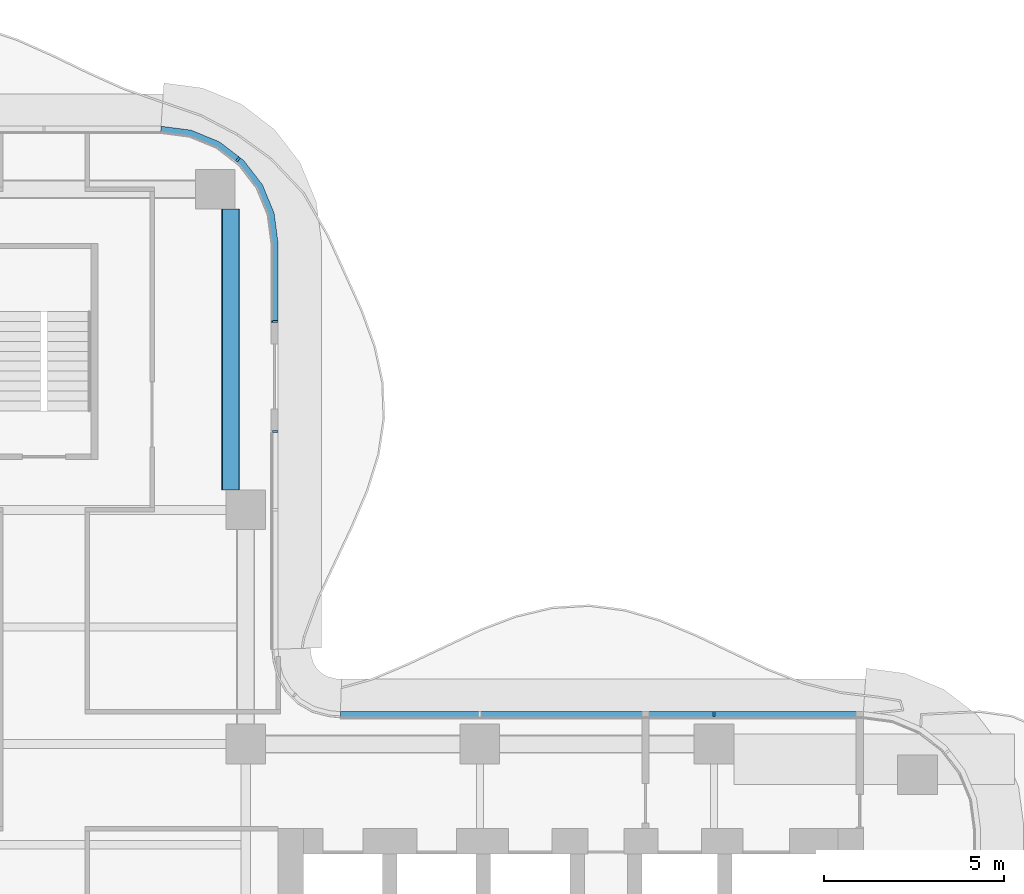
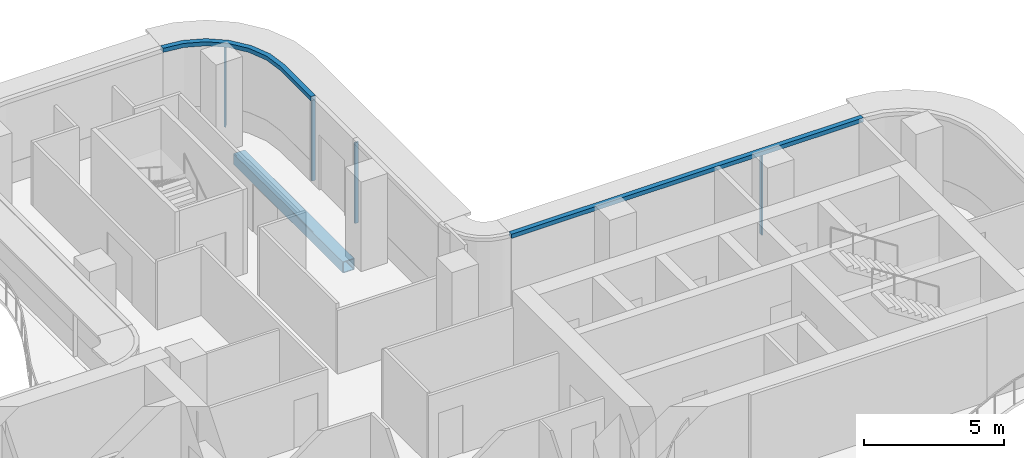
# One storey, part 8 of 17: 6 members, 1 beam, 3 elements without a shape of their own.
"""IFC4 building model written with IfcOpenShell, lengths in metres."""

from ifc_helpers import new_model, si_unit, direction, frame, origin, origin_2d, place, context, subcontext, project, spatial, polyline, rectangle, hollow_rectangle, outline, extrude, source, transform, mapped, material, layer, layer_set, material_profile, profile_set, type_object, element, aggregate, save


model = new_model("IFC4")

# Units and contexts
model_context = context("Model", 3, precision=1e-05, world=origin(), true_north=direction((0.0, 1.0)))
body_context = subcontext(model_context, "Body", "Model", "MODEL_VIEW")
ifc_project = project(units=[si_unit("LENGTHUNIT", "METRE"), si_unit("AREAUNIT", "SQUARE_METRE"), si_unit("VOLUMEUNIT", "CUBIC_METRE"), si_unit("PLANEANGLEUNIT", "RADIAN"), si_unit("MASSUNIT", "GRAM", prefix="KILO")], contexts=[model_context])

# Site, building, storey
site_placement = place(None, origin())
site = spatial("IfcSite", under=ifc_project, at=site_placement, CompositionType="ELEMENT")
building_placement = place(site_placement, origin())
building = spatial("IfcBuilding", under=site, at=building_placement, Name="Trellis Farm Tower", CompositionType="ELEMENT")
storey_placement = place(building_placement, frame((0.0, 0.0, 220.699951171875)))
storey = spatial("IfcBuildingStorey", under=building, at=storey_placement, Name="L48", CompositionType="ELEMENT", Elevation=220.699951171875)

# Beam
ifc_material_1 = material(Name="Steel S355", Category="steel")
ifc_material_profile_1 = material_profile(ifc_material_1, hollow_rectangle(XDim=0.5, YDim=0.5, WallThickness=0.030029296875, InnerFilletRadius=0.030029296875, OuterFilletRadius=0.044921875, at=origin_2d()), Name="SHS 500x500x30")
ifc_profile_set_1 = profile_set([ifc_material_profile_1], Name="Steel S355")
beam_type = type_object("IfcBeamType", Name="SHS 500x500x30", PredefinedType="BEAM", material=ifc_profile_set_1)
shared_shape_1 = source(origin(), body_context, "Body", "SweptSolid", [
    extrude(hollow_rectangle(XDim=0.5, YDim=0.5, WallThickness=0.030029296875, InnerFilletRadius=0.030029296875, OuterFilletRadius=0.044921875, at=origin_2d()), origin(), (0.0, 0.0, 1.0), 7.800048828125),
])
beam_placement = place(storey_placement, frame((5.175048828125, 12.64990234375, -0.449951171875), z_axis=(0.0, 1.0, 0.0), x_axis=(-1.0, 0.0, 0.0)))
element("IfcBeam", 1, at=beam_placement, inside=storey, type_object=beam_type, Name="Girder", PredefinedType="BEAM", context=body_context, shape_type="MappedRepresentation", body=[
    mapped(shared_shape_1, transform((0.0, 0.0, 0.0))),
])

# Curtain wall, member
ifc_material_2 = material(Name="Aluminium and glass curtain wall", Category="aluminium")
ifc_layer_1 = layer(ifc_material_2, 0.18994140625)
ifc_layer_set_1 = layer_set([ifc_layer_1], Name="RIBBON CURTAIN WALL CW1")
curtain_wall_type = type_object("IfcCurtainWallType", Name="RIBBON CURTAIN WALL CW1", PredefinedType="NOTDEFINED", material=ifc_layer_set_1)
placement_1 = place(storey_placement, origin())
curtain_wall_1 = element("IfcCurtainWall", 2, at=placement_1, inside=storey, type_object=curtain_wall_type, Name="CW1 008", PredefinedType="NOTDEFINED")
ifc_material_3 = material(Name="Aluminium extrusion 6063-T6", Category="aluminium")
ifc_material_profile_2 = material_profile(ifc_material_3, rectangle(XDim=0.06005859375, YDim=0.14990234375, at=origin_2d()), Name="MULLION 60x150")
ifc_profile_set_2 = profile_set([ifc_material_profile_2], Name="Aluminium extrusion 6063-T6")
member_type_1 = type_object("IfcMemberType", Name="CW1 MULLION 60x150", PredefinedType="MULLION", material=ifc_profile_set_2)
shared_shape_2 = source(origin(), body_context, "Body", "SweptSolid", [
    extrude(rectangle(XDim=0.06005859375, YDim=0.14990234375, at=origin_2d()), origin(), (0.0, 0.0, 1.0), 3.52001953125),
])
member_1_placement = place(storey_placement, frame((18.60009765625, 6.425048828125, 0.0), z_axis=(0.0, 0.0, 1.0), x_axis=(-1.0, 0.0, 0.0)))
member_1 = element("IfcMember", 3, at=member_1_placement, type_object=member_type_1, Name="MU1 008-01", PredefinedType="MULLION", context=body_context, shape_type="MappedRepresentation", body=[
    mapped(shared_shape_2, transform((0.0, 0.0, 0.0))),
])

curtain_wall_2 = element("IfcCurtainWall", 4, at=placement_1, inside=storey, type_object=curtain_wall_type, Name="CW1 009", PredefinedType="NOTDEFINED")
member_2_placement = place(storey_placement, frame((6.425048828125, 14.27001953125, 0.0), z_axis=(0.0, 0.0, 1.0), x_axis=(0.0, 1.0, 0.0)))
member_2 = element("IfcMember", 5, at=member_2_placement, type_object=member_type_1, Name="MU1 009-02", PredefinedType="MULLION", context=body_context, shape_type="MappedRepresentation", body=[
    mapped(shared_shape_2, transform((0.0, 0.0, 0.0))),
])
aggregate(curtain_wall_2, [member_2])

# Curtain wall, members
curtain_wall_3 = element("IfcCurtainWall", 6, at=placement_1, inside=storey, type_object=curtain_wall_type, Name="CW1 010", PredefinedType="NOTDEFINED")
member_3_placement = place(storey_placement, frame((6.425048828125, 17.330078125, 0.0), z_axis=(0.0, 0.0, 1.0), x_axis=(0.0, 1.0, 0.0)))
member_3 = element("IfcMember", 7, at=member_3_placement, type_object=member_type_1, Name="MU1 010-01", PredefinedType="MULLION", context=body_context, shape_type="MappedRepresentation", body=[
    mapped(shared_shape_2, transform((0.0, 0.0, 0.0))),
])
member_4_placement = place(storey_placement, frame((5.385498046875, 21.828369140625, 0.0), z_axis=(0.0, 0.0, 1.0), x_axis=(-0.793353340291, 0.608761429009, 0.0)))
member_4 = element("IfcMember", 8, at=member_4_placement, type_object=member_type_1, Name="MU1 010-02", PredefinedType="MULLION", context=body_context, shape_type="MappedRepresentation", body=[
    mapped(shared_shape_2, transform((0.0, 0.0, 0.0))),
])

# Member
ifc_layer_2 = layer(ifc_material_3, 0.199951171875)
ifc_layer_set_2 = layer_set([ifc_layer_2], Name="Aluminium extrusion 6063-T6")
member_type_2 = type_object("IfcMemberType", Name="CW1 TRANSOM 200x180", PredefinedType="USERDEFINED", material=ifc_layer_set_2)
shared_shape_3 = source(origin(), body_context, "Body", "SweptSolid", [
    extrude(outline(polyline([(22.75, 6.5), (8.2314453125, 6.5), (8.224853515625, 6.300048828125), (22.73681640625, 6.300048828125), (22.75, 6.5)])), origin(), (0.0, 0.0, 1.0), 0.179931640625),
])
placement_2 = place(storey_placement, frame((0.0, 0.0, 3.52001953125)))
member_5 = element("IfcMember", 9, at=placement_2, type_object=member_type_2, Name="TR1 008", ObjectType="TRANSOM", PredefinedType="USERDEFINED", context=body_context, shape_type="MappedRepresentation", body=[
    mapped(shared_shape_3, transform((0.0, 0.0, 0.0))),
])

aggregate(curtain_wall_1, [member_1, member_5])

shared_shape_4 = source(origin(), body_context, "Body", "SweptSolid", [
    extrude(outline(polyline([(6.5, 17.300048828125), (6.5, 19.5), (6.38916015625, 20.341064453125), (6.064697265625, 21.125), (5.548095703125, 21.798095703125), (4.875, 22.314697265625), (4.091064453125, 22.63916015625), (3.25, 22.75), (3.23681640625, 22.550048828125), (4.0390625, 22.4443359375), (4.774169921875, 22.139892578125), (5.405517578125, 21.655517578125), (5.889892578125, 21.024169921875), (6.1943359375, 20.2890625), (6.300048828125, 19.48681640625), (6.300048828125, 17.300048828125), (6.5, 17.300048828125)])), origin(), (0.0, 0.0, 1.0), 0.179931640625),
])
member_6 = element("IfcMember", 10, at=placement_2, type_object=member_type_2, Name="TR1 010", ObjectType="TRANSOM", PredefinedType="USERDEFINED", context=body_context, shape_type="MappedRepresentation", body=[
    mapped(shared_shape_4, transform((0.0, 0.0, 0.0))),
])

aggregate(curtain_wall_3, [member_3, member_4, member_6])

save(model, "model.ifc")
